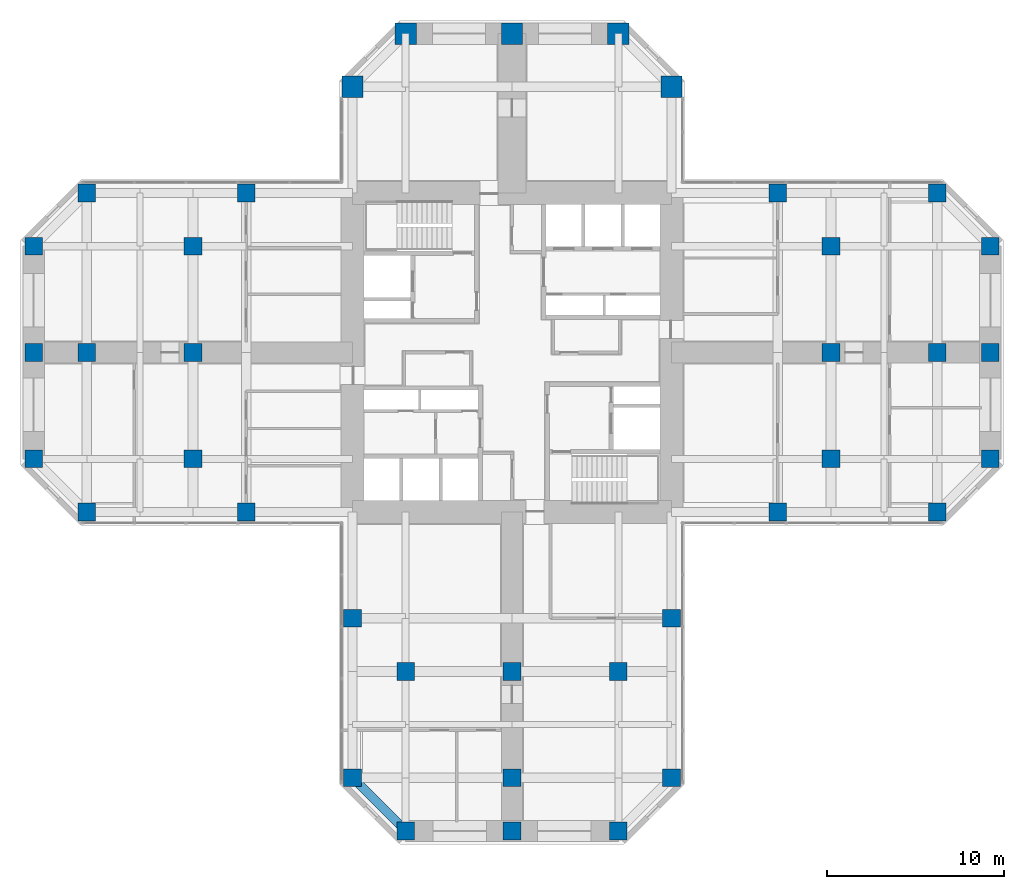
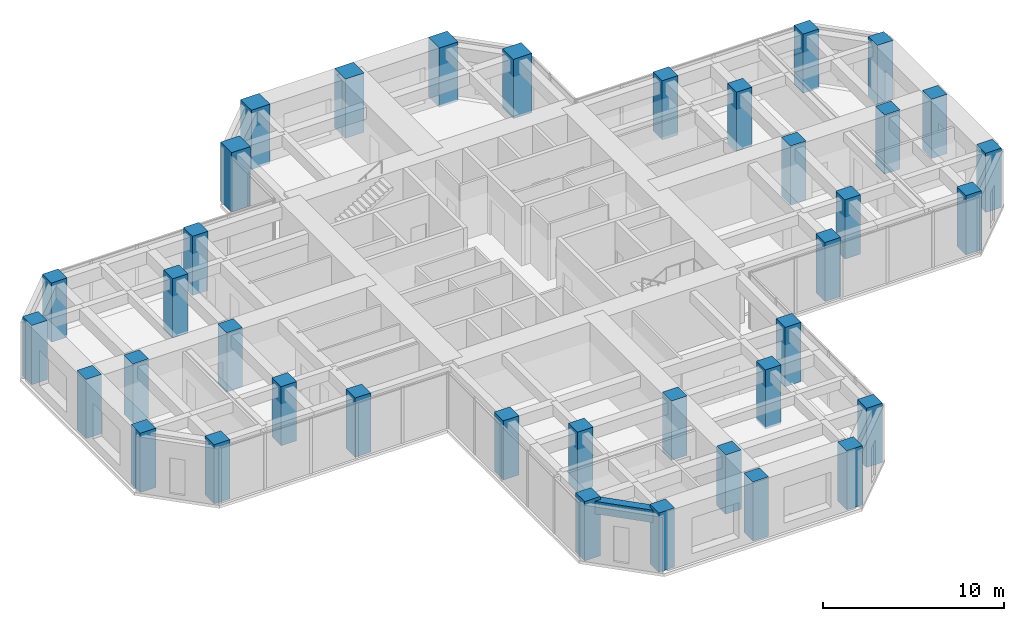
# One storey, part 1 of 12: 38 columns, 1 beam.
"""IFC4 building model written with IfcOpenShell, lengths in metres."""

import ifcopenshell
import ifcopenshell.guid

model = None  # the IFC model being written
_history = None  # IfcOwnerHistory: only IFC2X3 demands one
_inside = {}  # id of a spatial element -> (the spatial element, [elements in it])
_under = {}  # id of a project, library or spatial element -> (it, [spatial elements below it])
_declared = {}  # id of a project -> (the project, [libraries it declares])
_typed = {}  # id of a type object -> (the type object, [elements of that type])
_made_of = {}  # id of a material, layer set ... -> (it, [elements and type objects made of it])


def new_model(schema):
    """Start an empty IFC model of exactly this schema.

    Asked for "IFC4X3", IfcOpenShell would pick the latest addendum, in which some entities
    have other attributes; the version numbers below select the first issue.
    IFC2X3 requires an IfcOwnerHistory on every rooted entity: one is made here for all.
    """
    global model, _history
    if schema == "IFC4X3":
        model = ifcopenshell.file(schema_version=(4, 3, 0, 0))
    else:
        model = ifcopenshell.file(schema=schema)
    _inside.clear()
    _under.clear()
    _declared.clear()
    _typed.clear()
    _made_of.clear()
    _history = None
    if model.schema == "IFC2X3":
        org = make("IfcOrganization", Name="unknown")
        user = make(
            "IfcPersonAndOrganization",
            ThePerson=make("IfcPerson", FamilyName="unknown"),
            TheOrganization=org,
        )
        app = make(
            "IfcApplication",
            ApplicationDeveloper=org,
            Version="unknown",
            ApplicationFullName="unknown",
            ApplicationIdentifier="unknown",
        )
        _history = make(
            "IfcOwnerHistory",
            OwningUser=user,
            OwningApplication=app,
            ChangeAction="ADDED",
            CreationDate=0,
        )
    return model


def make(cls, **values):
    """One entity of the class cls with the attributes given. An attribute that is None is left unset."""
    return model.create_entity(
        cls, **{name: value for name, value in values.items() if value is not None}
    )


def rooted(cls, **values):
    """An entity with a GlobalId (a new one), such as an element, a storey or a relation."""
    return make(cls, GlobalId=ifcopenshell.guid.new(), OwnerHistory=_history, **values)


def si_unit(unit_type, name, prefix=None):
    """IfcSIUnit, for example si_unit("LENGTHUNIT", "METRE", prefix="MILLI")."""
    return make("IfcSIUnit", UnitType=unit_type, Prefix=prefix, Name=name)


def assignment(units):
    """IfcUnitAssignment: the units of a project."""
    return None if units is None else make("IfcUnitAssignment", Units=units)


def point(xyz):
    """IfcCartesianPoint."""
    return None if xyz is None else make("IfcCartesianPoint", Coordinates=xyz)


def direction(xyz):
    """IfcDirection."""
    return None if xyz is None else make("IfcDirection", DirectionRatios=xyz)


def frame(location, z_axis=None, x_axis=None):
    """IfcAxis2Placement3D, a coordinate frame: its origin and axes. An axis left out is left unset."""
    return make(
        "IfcAxis2Placement3D",
        Location=point(location),
        Axis=direction(z_axis),
        RefDirection=direction(x_axis),
    )


def frame_2d(location, x_axis=None):
    """IfcAxis2Placement2D, a coordinate frame in the plane: its origin and x axis."""
    return make(
        "IfcAxis2Placement2D", Location=point(location), RefDirection=direction(x_axis)
    )


def origin():
    """The frame at (0, 0, 0) with its axes left unset."""
    return frame((0.0, 0.0, 0.0))


def origin_2d():
    """The frame at (0, 0) in the plane with its x axis left unset."""
    return frame_2d((0.0, 0.0))


def place(relative_to, where):
    """IfcLocalPlacement: puts the frame where relative to a parent placement (None: the world)."""
    return make(
        "IfcLocalPlacement", PlacementRelTo=relative_to, RelativePlacement=where
    )


def context(
    kind, dimensions, precision=None, world=None, true_north=None, identifier=None
):
    """IfcGeometricRepresentationContext, for example the 3D "Model" context."""
    return make(
        "IfcGeometricRepresentationContext",
        ContextIdentifier=identifier,
        ContextType=kind,
        CoordinateSpaceDimension=dimensions,
        Precision=precision,
        WorldCoordinateSystem=world,
        TrueNorth=true_north,
    )


def subcontext(parent, identifier, kind, view, scale=None):
    """IfcGeometricRepresentationSubContext, for example "Body" below "Model"."""
    return make(
        "IfcGeometricRepresentationSubContext",
        ContextIdentifier=identifier,
        ContextType=kind,
        ParentContext=parent,
        TargetScale=scale,
        TargetView=view,
    )


def project(units=None, contexts=None):
    """IfcProject with its units and contexts."""
    return rooted(
        "IfcProject",
        Name="project",
        RepresentationContexts=contexts,
        UnitsInContext=assignment(units),
    )


def spatial(cls, under=None, at=None, **own):
    """A site, building, storey or space (cls), placed at a placement, below another one or the project."""
    s = rooted(cls, ObjectPlacement=at, **own)
    if under is not None:
        _under.setdefault(under.id(), (under, []))[1].append(s)
    return s


def profile(cls, at=None, kind="AREA", **sizes):
    """A parametric profile (cls). Its sizes go by their IFC names, for example OverallWidth=200.0."""
    return make(cls, ProfileType=kind, Position=at, **sizes)


def rectangle(**sizes):
    """IfcRectangleProfileDef."""
    return profile("IfcRectangleProfileDef", **sizes)


def extrude(swept, where, along, depth):
    """IfcExtrudedAreaSolid: the profile swept, set in the frame where, extruded along a direction by depth."""
    return make(
        "IfcExtrudedAreaSolid",
        SweptArea=swept,
        Position=where,
        ExtrudedDirection=direction(along),
        Depth=depth,
    )


def shape(context_of_items, identifier, shape_type, items):
    """IfcShapeRepresentation: the items that make up one representation, for example the "Body"."""
    return make(
        "IfcShapeRepresentation",
        ContextOfItems=context_of_items,
        RepresentationIdentifier=identifier,
        RepresentationType=shape_type,
        Items=items,
    )


def material(Name=None, Category=None):
    """IfcMaterial."""
    return make("IfcMaterial", Name=Name, Category=Category)


def material_profile(
    of_material, cross_section, Name=None, Category=None, Priority=None
):
    """IfcMaterialProfile: a cross section and its material."""
    return make(
        "IfcMaterialProfile",
        Name=Name,
        Material=of_material,
        Profile=cross_section,
        Priority=Priority,
        Category=Category,
    )


def profile_set(profiles, Name=None, composite=None):
    """IfcMaterialProfileSet."""
    return make(
        "IfcMaterialProfileSet",
        Name=Name,
        MaterialProfiles=profiles,
        CompositeProfile=composite,
    )


def made_of(thing, what):
    """Note that an element or type object is made of a material, layer set ...; save() writes the relation."""
    if what is not None:
        _made_of.setdefault(what.id(), (what, []))[1].append(thing)
    return thing


def type_object(cls, material=None, **own):
    """A type object (cls), such as IfcWallType, which elements share."""
    return made_of(rooted(cls, **own), material)


def element(
    cls,
    number,
    at=None,
    inside=None,
    cuts=None,
    type_object=None,
    material=None,
    context=None,
    identifier="Body",
    shape_type=None,
    held_by="IfcProductDefinitionShape",
    body=None,
    shapes=None,
    **own,
):
    """One element of the class cls, such as IfcWall. Its Tag is "e" and its number.

    at: its placement. inside: the storey or other place that contains it. cuts: it is an
    opening in that element (IfcRelVoidsElement). A single representation is given by context,
    identifier, shape_type and body (its items); several are given by shapes. held_by: the class
    of the entity that holds the representations. save() writes the other relations.
    """
    e = rooted(cls, Tag="e%d" % number, ObjectPlacement=at, **own)
    if body is not None:
        shapes = [shape(context, identifier, shape_type, body)]
    if shapes is not None:
        e.Representation = make(held_by, Representations=shapes)
    if inside is not None:
        _inside.setdefault(inside.id(), (inside, []))[1].append(e)
    if cuts is not None:
        rooted(
            "IfcRelVoidsElement", RelatingBuildingElement=cuts, RelatedOpeningElement=e
        )
    if type_object is not None:
        _typed.setdefault(type_object.id(), (type_object, []))[1].append(e)
    return made_of(e, material)


def aggregate(whole, parts):
    """IfcRelAggregates: a whole, such as a stair, and the parts it consists of."""
    return rooted("IfcRelAggregates", RelatingObject=whole, RelatedObjects=parts)


def save(model, path):
    """Write the relations noted so far, then the file.

    IfcRelAggregates (storeys below a building ...), IfcRelContainedInSpatialStructure (elements
    in a storey), IfcRelDefinesByType, IfcRelAssociatesMaterial and IfcRelDeclares: one each for
    every whole, place, type object, material and project.
    """
    for whole, parts in _under.values():
        aggregate(whole, parts)
    for where, things in _inside.values():
        rooted(
            "IfcRelContainedInSpatialStructure",
            RelatedElements=things,
            RelatingStructure=where,
        )
    for kind, things in _typed.values():
        rooted("IfcRelDefinesByType", RelatedObjects=things, RelatingType=kind)
    for what, things in _made_of.values():
        rooted("IfcRelAssociatesMaterial", RelatedObjects=things, RelatingMaterial=what)
    for by, libraries in _declared.values():
        rooted("IfcRelDeclares", RelatingContext=by, RelatedDefinitions=libraries)
    model.write(path)


model = new_model("IFC4")

# Units and contexts
model_context = context("Model", 3, precision=1e-05, world=origin(), true_north=direction((0.0, 1.0)))
body_context = subcontext(model_context, "Body", "Model", "MODEL_VIEW")
ifc_project = project(units=[si_unit("LENGTHUNIT", "METRE"), si_unit("AREAUNIT", "SQUARE_METRE"), si_unit("VOLUMEUNIT", "CUBIC_METRE"), si_unit("PLANEANGLEUNIT", "RADIAN"), si_unit("MASSUNIT", "GRAM", prefix="KILO")], contexts=[model_context])

# Site, building, storey
site_placement = place(None, origin())
site = spatial("IfcSite", under=ifc_project, at=site_placement, CompositionType="ELEMENT")
building_placement = place(site_placement, origin())
building = spatial("IfcBuilding", under=site, at=building_placement, Name="Torre Cruceta", CompositionType="ELEMENT")
storey_placement = place(building_placement, frame((0.0, 0.0, 112.5)))
storey = spatial("IfcBuildingStorey", under=building, at=storey_placement, Name="L27", CompositionType="ELEMENT", Elevation=112.5)

# Columns
ifc_material_1 = material(Name="Concrete G60 (fck 60 MPa)", Category="concrete")
ifc_material_profile_1 = material_profile(ifc_material_1, rectangle(XDim=1.0, YDim=1.0, at=origin_2d()), Name="RC 1000X1000")
ifc_profile_set_1 = profile_set([ifc_material_profile_1], Name="Concrete G60 (fck 60 MPa)")
column_type_1 = type_object("IfcColumnType", Name="COLUMN RC 1000X1000", PredefinedType="COLUMN", material=ifc_profile_set_1)
for number, where, z_axis, x_axis, name in (
    (1, (15.0, -9.0, 0.0), (0.0, 0.0, 1.0), (1.0, 0.0, 0.0), "C5 L27 E side"),
    (2, (24.0, -9.0, 0.0), (0.0, 0.0, 1.0), (1.0, 0.0, 0.0), "C5 L27 E chamfer"),
    (3, (15.0, 9.0, 0.0), (0.0, 0.0, 1.0), (1.0, 0.0, 0.0), "C5 L27 E side"),
    (4, (24.0, 9.0, 0.0), (0.0, 0.0, 1.0), (1.0, 0.0, 0.0), "C5 L27 E chamfer"),
    (5, (27.0, -6.0, 0.0), (0.0, 0.0, 1.0), (1.0, 0.0, 0.0), "C5 L27 E tip"),
    (6, (27.0, 0.0, 0.0), (0.0, 0.0, 1.0), (1.0, 0.0, 0.0), "C5 L27 E tip"),
    (7, (27.0, 6.0, 0.0), (0.0, 0.0, 1.0), (1.0, 0.0, 0.0), "C5 L27 E tip"),
    (8, (-9.0, -15.0, 0.0), (0.0, 0.0, 1.0), (1.0, 0.0, 0.0), "C5 L27 S side"),
    (9, (-9.0, -24.0, 0.0), (0.0, 0.0, 1.0), (1.0, 0.0, 0.0), "C5 L27 S chamfer"),
    (10, (9.0, -15.0, 0.0), (0.0, 0.0, 1.0), (1.0, 0.0, 0.0), "C5 L27 S side"),
    (11, (9.0, -24.0, 0.0), (0.0, 0.0, 1.0), (1.0, 0.0, 0.0), "C5 L27 S chamfer"),
    (12, (-6.0, -27.0, 0.0), (0.0, 0.0, 1.0), (1.0, 0.0, 0.0), "C5 L27 S tip"),
    (13, (0.0, -27.0, 0.0), (0.0, 0.0, 1.0), (1.0, 0.0, 0.0), "C5 L27 S tip"),
    (14, (6.0, -27.0, 0.0), (0.0, 0.0, 1.0), (1.0, 0.0, 0.0), "C5 L27 S tip"),
    (15, (-15.0, 9.0, 0.0), (0.0, 0.0, 1.0), (1.0, 0.0, 0.0), "C5 L27 W side"),
    (16, (-24.0, 9.0, 0.0), (0.0, 0.0, 1.0), (1.0, 0.0, 0.0), "C5 L27 W chamfer"),
    (17, (-15.0, -9.0, 0.0), (0.0, 0.0, 1.0), (1.0, 0.0, 0.0), "C5 L27 W side"),
    (18, (-24.0, -9.0, 0.0), (0.0, 0.0, 1.0), (1.0, 0.0, 0.0), "C5 L27 W chamfer"),
    (19, (-27.0, 6.0, 0.0), (0.0, 0.0, 1.0), (1.0, 0.0, 0.0), "C5 L27 W tip"),
    (20, (-27.0, 0.0, 0.0), (0.0, 0.0, 1.0), (1.0, 0.0, 0.0), "C5 L27 W tip"),
    (21, (-27.0, -6.0, 0.0), (0.0, 0.0, 1.0), (1.0, 0.0, 0.0), "C5 L27 W tip"),
    (22, (18.0, -6.0, 0.0), (0.0, 0.0, 1.0), (1.0, 0.0, 0.0), "C5 L27 E interior"),
    (23, (18.0, 0.0, 0.0), (0.0, 0.0, 1.0), (1.0, 0.0, 0.0), "C5 L27 E interior"),
    (24, (18.0, 6.0, 0.0), (0.0, 0.0, 1.0), (1.0, 0.0, 0.0), "C5 L27 E interior"),
    (25, (24.0, 0.0, 0.0), (0.0, 0.0, 1.0), (1.0, 0.0, 0.0), "C5 L27 E interior"),
    (26, (-6.0, -18.0, 0.0), (0.0, 0.0, 1.0), (1.0, 0.0, 0.0), "C5 L27 S interior"),
    (27, (0.0, -18.0, 0.0), (0.0, 0.0, 1.0), (1.0, 0.0, 0.0), "C5 L27 S interior"),
    (28, (6.0, -18.0, 0.0), (0.0, 0.0, 1.0), (1.0, 0.0, 0.0), "C5 L27 S interior"),
    (29, (0.0, -24.0, 0.0), (0.0, 0.0, 1.0), (1.0, 0.0, 0.0), "C5 L27 S interior"),
    (30, (-18.0, 6.0, 0.0), (0.0, 0.0, 1.0), (1.0, 0.0, 0.0), "C5 L27 W interior"),
    (31, (-18.0, 0.0, 0.0), (0.0, 0.0, 1.0), (1.0, 0.0, 0.0), "C5 L27 W interior"),
    (32, (-18.0, -6.0, 0.0), (0.0, 0.0, 1.0), (1.0, 0.0, 0.0), "C5 L27 W interior"),
    (33, (-24.0, 0.0, 0.0), (0.0, 0.0, 1.0), (1.0, 0.0, 0.0), "C5 L27 W interior"),
):
    element("IfcColumn", number, at=place(storey_placement, frame(where, z_axis=z_axis, x_axis=x_axis)), inside=storey, type_object=column_type_1, Name=name, PredefinedType="COLUMN", context=body_context, shape_type="SweptSolid", body=[
        extrude(rectangle(XDim=1.0, YDim=1.0, at=origin_2d()), origin(), (0.0, 0.0, 1.0), 4.0),
    ])
ifc_material_2 = material(Name="Concrete G60 (fck 60 MPa)", Category="concrete")
ifc_material_profile_2 = material_profile(ifc_material_2, rectangle(XDim=1.199951171875, YDim=1.199951171875, at=origin_2d()), Name="RC 1200X1200")
ifc_profile_set_2 = profile_set([ifc_material_profile_2], Name="Concrete G60 (fck 60 MPa)")
column_type_2 = type_object("IfcColumnType", Name="COLUMN RC 1200X1200", PredefinedType="COLUMN", material=ifc_profile_set_2)
for number, where, z_axis, x_axis, name in (
    (34, (9.0, 15.0, 0.0), (0.0, 0.0, 1.0), (1.0, 0.0, 0.0), "C3 L27 N chamfer"),
    (35, (-9.0, 15.0, 0.0), (0.0, 0.0, 1.0), (1.0, 0.0, 0.0), "C3 L27 N chamfer"),
    (36, (6.0, 18.0, 0.0), (0.0, 0.0, 1.0), (1.0, 0.0, 0.0), "C3 L27 N tip"),
    (37, (0.0, 18.0, 0.0), (0.0, 0.0, 1.0), (1.0, 0.0, 0.0), "C3 L27 N tip"),
    (38, (-6.0, 18.0, 0.0), (0.0, 0.0, 1.0), (1.0, 0.0, 0.0), "C3 L27 N tip"),
):
    element("IfcColumn", number, at=place(storey_placement, frame(where, z_axis=z_axis, x_axis=x_axis)), inside=storey, type_object=column_type_2, Name=name, PredefinedType="COLUMN", context=body_context, shape_type="SweptSolid", body=[
        extrude(rectangle(XDim=1.199951171875, YDim=1.199951171875, at=origin_2d()), origin(), (0.0, 0.0, 1.0), 4.0),
    ])

# Beam
ifc_material_3 = material(Name="Concrete G60 (fck 60 MPa)", Category="concrete")
ifc_material_profile_3 = material_profile(ifc_material_3, rectangle(XDim=0.5, YDim=0.85009765625, at=origin_2d()), Name="RC 500X850")
ifc_profile_set_3 = profile_set([ifc_material_profile_3], Name="Concrete G60 (fck 60 MPa)")
beam_type = type_object("IfcBeamType", Name="SPANDREL BEAM RC 500X850", PredefinedType="SPANDREL", material=ifc_profile_set_3)
beam_placement = place(storey_placement, frame((-9.0, -24.0, 3.375), z_axis=(0.707106781187, -0.707106781187, 0.0), x_axis=(0.707106781187, 0.707106781187, 0.0)))
element("IfcBeam", 39, at=beam_placement, inside=storey, type_object=beam_type, Name="SB5 L27 S side- 5", PredefinedType="SPANDREL", context=body_context, shape_type="SweptSolid", body=[
    extrude(rectangle(XDim=0.5, YDim=0.85009765625, at=origin_2d()), origin(), (0.0, 0.0, 1.0), 4.24267578125),
])

save(model, "model.ifc")
